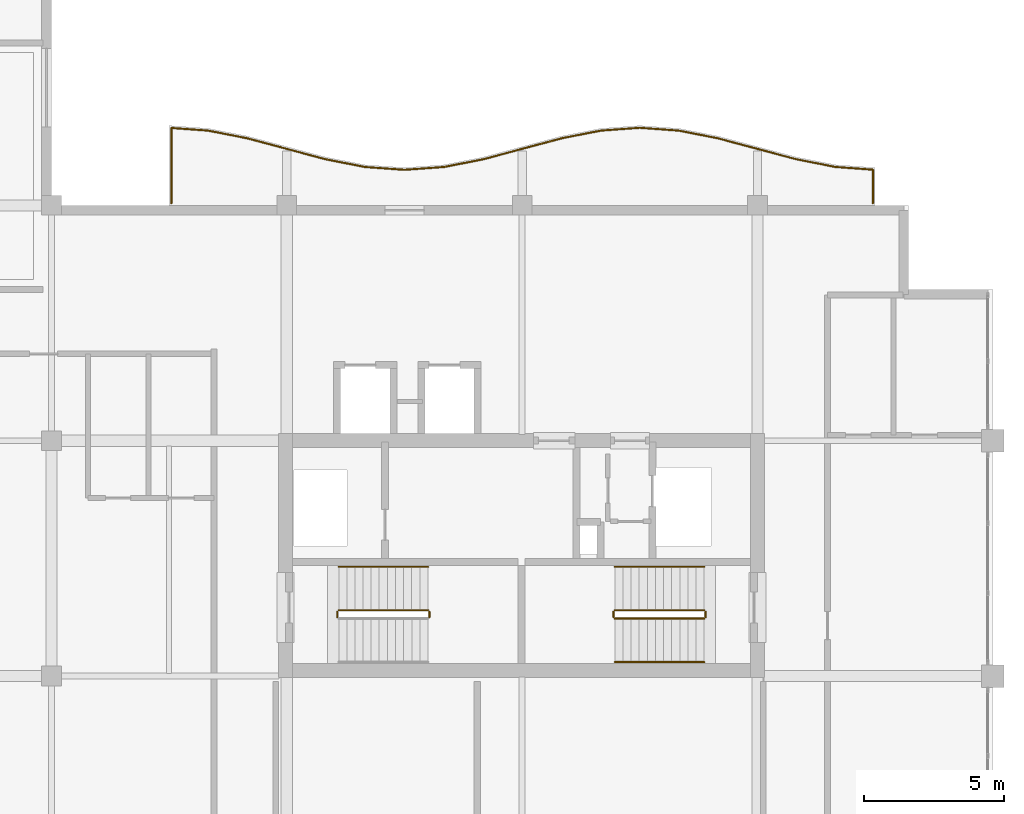
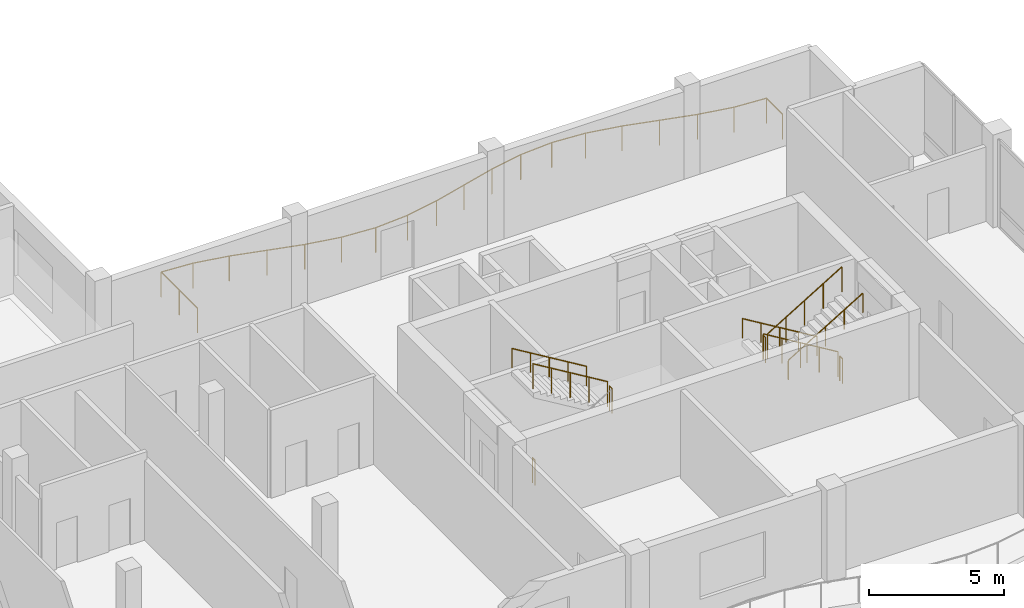
# One storey, part 14 of 16: 11 railings.
"""IFC4 building model written with IfcOpenShell, lengths in metres."""

from ifc_helpers import new_model, si_unit, direction, frame, origin, origin_2d, place, context, subcontext, project, spatial, circle, extrude, material, type_object, element, save


model = new_model("IFC4")

# Units and contexts
model_context = context("Model", 3, precision=1e-05, world=origin(), true_north=direction((0.0, 1.0)))
body_context = subcontext(model_context, "Body", "Model", "MODEL_VIEW")
ifc_project = project(units=[si_unit("LENGTHUNIT", "METRE"), si_unit("AREAUNIT", "SQUARE_METRE"), si_unit("VOLUMEUNIT", "CUBIC_METRE"), si_unit("PLANEANGLEUNIT", "RADIAN"), si_unit("MASSUNIT", "GRAM", prefix="KILO")], contexts=[model_context])

# Site, building, storey
site_placement = place(None, origin())
site = spatial("IfcSite", under=ifc_project, at=site_placement, CompositionType="ELEMENT")
building_placement = place(site_placement, origin())
building = spatial("IfcBuilding", under=site, at=building_placement, Name="Koriwani Terraces Tower", CompositionType="ELEMENT")
storey_placement = place(building_placement, frame((0.0, 0.0, 355.39990234375)))
storey = spatial("IfcBuildingStorey", under=building, at=storey_placement, Name="L88", CompositionType="ELEMENT", Elevation=355.39990234375)

# Railings
ifc_material = material(Name="Steel ASTM A572 Grade 50", Category="steel")
railing_type_1 = type_object("IfcRailingType", Name="GUARD_BALUSTRADE_1150", PredefinedType="BALUSTRADE", material=ifc_material)
railing_1_placement = place(storey_placement, frame((62.919921875, 33.679931640625, 0.0)))
element("IfcRailing", 1, at=railing_1_placement, inside=storey, type_object=railing_type_1, Name="L88 Balcony Perimeter Safety Balustrade (NE)", PredefinedType="BALUSTRADE", context=body_context, shape_type="SweptSolid", body=[
    extrude(circle(Radius=0.02392578125, at=origin_2d()), frame((0.0, 0.0, 1.1259765625), z_axis=(0.0, 1.0, 0.0), x_axis=(-1.0, 0.0, 0.0)), (0.0, 0.0, 1.0), 1.195556640625),
    extrude(circle(Radius=0.02392578125, at=origin_2d()), frame((0.0, 1.195556640625, 1.1259765625), z_axis=(-0.997410163072, 0.071923338365, 0.0), x_axis=(-0.071923338365, -0.997410163072, 0.0)), (0.0, 0.0, 1.0), 1.333984375),
    extrude(circle(Radius=0.02392578125, at=origin_2d()), frame((-1.33056640625, 1.29150390625, 1.1259765625), z_axis=(-0.981358469957, 0.192186246762, 0.0), x_axis=(-0.192186246762, -0.981358469957, 0.0)), (0.0, 0.0, 1.0), 1.434326171875),
    extrude(circle(Radius=0.02392578125, at=origin_2d()), frame((-2.738037109375, 1.567138671875, 1.1259765625), z_axis=(-0.96594917914, 0.258731875344, 0.0), x_axis=(-0.258731875344, -0.96594917914, 0.0)), (0.0, 0.0, 1.0), 2.898681640625),
    extrude(circle(Radius=0.02392578125, at=origin_2d()), frame((-5.5380859375, 2.317138671875, 1.1259765625), z_axis=(-0.981321393675, 0.19237547223, 0.0), x_axis=(-0.19237547223, -0.981321393675, 0.0)), (0.0, 0.0, 1.0), 1.4189453125),
    extrude(circle(Radius=0.02392578125, at=origin_2d()), frame((-6.930419921875, 2.590087890625, 1.1259765625), z_axis=(-0.997427466293, 0.07168297904, 0.0), x_axis=(-0.07168297904, -0.997427466293, 0.0)), (0.0, 0.0, 1.0), 1.39306640625),
    extrude(circle(Radius=0.02392578125, at=origin_2d()), frame((-8.31982421875, 2.68994140625, 1.1259765625), z_axis=(-0.997427466293, -0.07168297904, 0.0), x_axis=(0.07168297904, -0.997427466293, 0.0)), (0.0, 0.0, 1.0), 1.39306640625),
    extrude(circle(Radius=0.02392578125, at=origin_2d()), frame((-9.709228515625, 2.590087890625, 1.1259765625), z_axis=(-0.981327760125, -0.192342993657, 0.0), x_axis=(0.192342993657, -0.981327760125, 0.0)), (0.0, 0.0, 1.0), 1.419189453125),
    extrude(circle(Radius=0.02392578125, at=origin_2d()), frame((-11.101806640625, 2.317138671875, 1.1259765625), z_axis=(-0.96594917914, -0.258731875344, 0.0), x_axis=(0.258731875344, -0.96594917914, 0.0)), (0.0, 0.0, 1.0), 2.898681640625),
    extrude(circle(Radius=0.02392578125, at=origin_2d()), frame((-13.90185546875, 1.567138671875, 1.1259765625), z_axis=(-0.981358469957, -0.192186246762, 0.0), x_axis=(0.192186246762, -0.981358469957, 0.0)), (0.0, 0.0, 1.0), 1.434326171875),
    extrude(circle(Radius=0.02392578125, at=origin_2d()), frame((-15.309326171875, 1.29150390625, 1.1259765625), z_axis=(-0.997430581876, -0.071639614309, 0.0), x_axis=(0.071639614309, -0.997430581876, 0.0)), (0.0, 0.0, 1.0), 1.414306640625),
    extrude(circle(Radius=0.02392578125, at=origin_2d()), frame((-16.719970703125, 1.190185546875, 1.1259765625), z_axis=(-0.997430581876, 0.071639614309, 0.0), x_axis=(-0.071639614309, -0.997430581876, 0.0)), (0.0, 0.0, 1.0), 1.414306640625),
    extrude(circle(Radius=0.02392578125, at=origin_2d()), frame((-18.130615234375, 1.29150390625, 1.1259765625), z_axis=(-0.981352180954, 0.192218357442, 0.0), x_axis=(-0.192218357442, -0.981352180954, 0.0)), (0.0, 0.0, 1.0), 1.43408203125),
    extrude(circle(Radius=0.02392578125, at=origin_2d()), frame((-19.537841796875, 1.567138671875, 1.1259765625), z_axis=(-0.965954816498, 0.258710827923, 0.0), x_axis=(-0.258710827923, -0.965954816498, 0.0)), (0.0, 0.0, 1.0), 2.89892578125),
    extrude(circle(Radius=0.02392578125, at=origin_2d()), frame((-22.338134765625, 2.317138671875, 1.1259765625), z_axis=(-0.981321393675, 0.19237547223, 0.0), x_axis=(-0.19237547223, -0.981321393675, 0.0)), (0.0, 0.0, 1.0), 1.4189453125),
    extrude(circle(Radius=0.02392578125, at=origin_2d()), frame((-23.73046875, 2.590087890625, 1.1259765625), z_axis=(-0.997434099073, 0.071590627916, 0.0), x_axis=(-0.071590627916, -0.997434099073, 0.0)), (0.0, 0.0, 1.0), 1.31298828125),
    extrude(circle(Radius=0.02392578125, at=origin_2d()), frame((-25.0400390625, 2.68408203125, 1.1259765625), z_axis=(0.0, -1.0, 0.0), x_axis=(1.0, 0.0, 0.0)), (0.0, 0.0, 1.0), 2.68408203125),
    extrude(circle(Radius=0.02099609375, at=origin_2d()), origin(), (0.0, 0.0, 1.0), 1.101806640625),
    extrude(circle(Radius=0.02099609375, at=origin_2d()), frame((0.0, 1.195556640625, 0.0)), (0.0, 0.0, 1.0), 1.101806640625),
    extrude(circle(Radius=0.02099609375, at=origin_2d()), frame((-1.33056640625, 1.29150390625, 0.0)), (0.0, 0.0, 1.0), 1.101806640625),
    extrude(circle(Radius=0.02099609375, at=origin_2d()), frame((-2.738037109375, 1.567138671875, 0.0)), (0.0, 0.0, 1.0), 1.101806640625),
    extrude(circle(Radius=0.02099609375, at=origin_2d()), frame((-4.13818359375, 1.942138671875, 0.0)), (0.0, 0.0, 1.0), 1.101806640625),
    extrude(circle(Radius=0.02099609375, at=origin_2d()), frame((-5.5380859375, 2.317138671875, 0.0)), (0.0, 0.0, 1.0), 1.101806640625),
    extrude(circle(Radius=0.02099609375, at=origin_2d()), frame((-6.930419921875, 2.590087890625, 0.0)), (0.0, 0.0, 1.0), 1.101806640625),
    extrude(circle(Radius=0.02099609375, at=origin_2d()), frame((-8.31982421875, 2.68994140625, 0.0)), (0.0, 0.0, 1.0), 1.101806640625),
    extrude(circle(Radius=0.02099609375, at=origin_2d()), frame((-9.709228515625, 2.590087890625, 0.0)), (0.0, 0.0, 1.0), 1.101806640625),
    extrude(circle(Radius=0.02099609375, at=origin_2d()), frame((-11.101806640625, 2.317138671875, 0.0)), (0.0, 0.0, 1.0), 1.101806640625),
    extrude(circle(Radius=0.02099609375, at=origin_2d()), frame((-12.501953125, 1.942138671875, 0.0)), (0.0, 0.0, 1.0), 1.101806640625),
    extrude(circle(Radius=0.02099609375, at=origin_2d()), frame((-13.90185546875, 1.567138671875, 0.0)), (0.0, 0.0, 1.0), 1.101806640625),
    extrude(circle(Radius=0.02099609375, at=origin_2d()), frame((-15.309326171875, 1.29150390625, 0.0)), (0.0, 0.0, 1.0), 1.101806640625),
    extrude(circle(Radius=0.02099609375, at=origin_2d()), frame((-16.719970703125, 1.190185546875, 0.0)), (0.0, 0.0, 1.0), 1.101806640625),
    extrude(circle(Radius=0.02099609375, at=origin_2d()), frame((-18.130615234375, 1.29150390625, 0.0)), (0.0, 0.0, 1.0), 1.101806640625),
    extrude(circle(Radius=0.02099609375, at=origin_2d()), frame((-19.537841796875, 1.567138671875, 0.0)), (0.0, 0.0, 1.0), 1.101806640625),
    extrude(circle(Radius=0.02099609375, at=origin_2d()), frame((-20.93798828125, 1.942138671875, 0.0)), (0.0, 0.0, 1.0), 1.101806640625),
    extrude(circle(Radius=0.02099609375, at=origin_2d()), frame((-22.338134765625, 2.317138671875, 0.0)), (0.0, 0.0, 1.0), 1.101806640625),
    extrude(circle(Radius=0.02099609375, at=origin_2d()), frame((-23.73046875, 2.590087890625, 0.0)), (0.0, 0.0, 1.0), 1.101806640625),
    extrude(circle(Radius=0.02099609375, at=origin_2d()), frame((-25.0400390625, 2.68408203125, 0.0)), (0.0, 0.0, 1.0), 1.101806640625),
    extrude(circle(Radius=0.02099609375, at=origin_2d()), frame((-25.0400390625, 1.342041015625, 0.0)), (0.0, 0.0, 1.0), 1.101806640625),
    extrude(circle(Radius=0.02099609375, at=origin_2d()), frame((-25.0400390625, 0.0, 0.0)), (0.0, 0.0, 1.0), 1.101806640625),
])
railing_type_2 = type_object("IfcRailingType", Name="GUARD_STAIR_WELL_1120", PredefinedType="GUARDRAIL", material=ifc_material)
railing_2_placement = place(storey_placement, frame((47.090087890625, 18.89990234375, 2.10009765625)))
element("IfcRailing", 2, at=railing_2_placement, inside=storey, type_object=railing_type_2, Name="L88 ST-E1 stair guard 2", PredefinedType="GUARDRAIL", context=body_context, shape_type="SweptSolid", body=[
    extrude(circle(Radius=0.02392578125, at=origin_2d()), frame((0.0, 0.0, 1.1259765625), z_axis=(0.0, 1.0, 0.0), x_axis=(-1.0, 0.0, 0.0)), (0.0, 0.0, 1.0), 0.2001953125),
    extrude(circle(Radius=0.02099609375, at=origin_2d()), origin(), (0.0, 0.0, 1.0), 1.101806640625),
    extrude(circle(Radius=0.02099609375, at=origin_2d()), frame((0.0, 0.2001953125, 0.0)), (0.0, 0.0, 1.0), 1.101806640625),
])
railing_3_placement = place(storey_placement, frame((47.0400390625, 19.14990234375, 2.275146484375)))
element("IfcRailing", 3, at=railing_3_placement, inside=storey, type_object=railing_type_2, Name="L88 ST-E1 stair guard 3", PredefinedType="GUARDRAIL", context=body_context, shape_type="SweptSolid", body=[
    extrude(circle(Radius=0.02392578125, at=origin_2d()), frame((0.0, 0.0, 1.1259765625), z_axis=(-0.856177665481, 0.0, 0.516681531633), x_axis=(0.0, -1.0, 0.0)), (0.0, 0.0, 1.0), 3.725830078125),
    extrude(circle(Radius=0.02099609375, at=origin_2d()), origin(), (0.0, 0.0, 1.0), 1.101806640625),
    extrude(circle(Radius=0.02099609375, at=origin_2d()), frame((-0.79736328125, 0.0, 0.481201171875)), (0.0, 0.0, 1.0), 1.101806640625),
    extrude(circle(Radius=0.02099609375, at=origin_2d()), frame((-1.594970703125, 0.0, 0.96240234375)), (0.0, 0.0, 1.0), 1.101806640625),
    extrude(circle(Radius=0.02099609375, at=origin_2d()), frame((-2.392578125, 0.0, 1.44384765625)), (0.0, 0.0, 1.0), 1.101806640625),
    extrude(circle(Radius=0.02099609375, at=origin_2d()), frame((-3.18994140625, 0.0, 1.925048828125)), (0.0, 0.0, 1.0), 1.101806640625),
])
railing_4_placement = place(storey_placement, frame((43.800048828125, 18.89990234375, 0.0)))
element("IfcRailing", 4, at=railing_4_placement, inside=storey, type_object=railing_type_2, Name="L88 ST-E1 stair guard 4", PredefinedType="GUARDRAIL", context=body_context, shape_type="SweptSolid", body=[
    extrude(circle(Radius=0.02392578125, at=origin_2d()), frame((0.0, 0.0, 1.1259765625), z_axis=(0.0, 1.0, 0.0), x_axis=(-1.0, 0.0, 0.0)), (0.0, 0.0, 1.0), 0.2001953125),
    extrude(circle(Radius=0.02099609375, at=origin_2d()), origin(), (0.0, 0.0, 1.0), 1.101806640625),
    extrude(circle(Radius=0.02099609375, at=origin_2d()), frame((0.0, 0.2001953125, 0.0)), (0.0, 0.0, 1.0), 1.101806640625),
])
railing_5_placement = place(storey_placement, frame((56.89990234375, 19.14990234375, 0.175048828125)))
element("IfcRailing", 5, at=railing_5_placement, inside=storey, type_object=railing_type_2, Name="L88 ST-E2 stair guard 1", PredefinedType="GUARDRAIL", context=body_context, shape_type="SweptSolid", body=[
    extrude(circle(Radius=0.02392578125, at=origin_2d()), frame((0.0, 0.0, 1.1259765625), z_axis=(-0.856177665481, 0.0, 0.516681531633), x_axis=(0.0, -1.0, 0.0)), (0.0, 0.0, 1.0), 3.725830078125),
    extrude(circle(Radius=0.02099609375, at=origin_2d()), origin(), (0.0, 0.0, 1.0), 1.101806640625),
    extrude(circle(Radius=0.02099609375, at=origin_2d()), frame((-0.79736328125, 0.0, 0.481201171875)), (0.0, 0.0, 1.0), 1.101806640625),
    extrude(circle(Radius=0.02099609375, at=origin_2d()), frame((-1.594970703125, 0.0, 0.96240234375)), (0.0, 0.0, 1.0), 1.101806640625),
    extrude(circle(Radius=0.02099609375, at=origin_2d()), frame((-2.392578125, 0.0, 1.44384765625)), (0.0, 0.0, 1.0), 1.101806640625),
    extrude(circle(Radius=0.02099609375, at=origin_2d()), frame((-3.18994140625, 0.0, 1.925048828125)), (0.0, 0.0, 1.0), 1.101806640625),
])
railing_6_placement = place(storey_placement, frame((53.659912109375, 19.10009765625, 2.10009765625)))
element("IfcRailing", 6, at=railing_6_placement, inside=storey, type_object=railing_type_2, Name="L88 ST-E2 stair guard 2", PredefinedType="GUARDRAIL", context=body_context, shape_type="SweptSolid", body=[
    extrude(circle(Radius=0.02392578125, at=origin_2d()), frame((0.0, 0.0, 1.1259765625), z_axis=(0.0, -1.0, 0.0), x_axis=(1.0, 0.0, 0.0)), (0.0, 0.0, 1.0), 0.2001953125),
    extrude(circle(Radius=0.02099609375, at=origin_2d()), origin(), (0.0, 0.0, 1.0), 1.101806640625),
    extrude(circle(Radius=0.02099609375, at=origin_2d()), frame((0.0, -0.2001953125, 0.0)), (0.0, 0.0, 1.0), 1.101806640625),
])
railing_7_placement = place(storey_placement, frame((53.7099609375, 18.85009765625, 2.275146484375)))
element("IfcRailing", 7, at=railing_7_placement, inside=storey, type_object=railing_type_2, Name="L88 ST-E2 stair guard 3", PredefinedType="GUARDRAIL", context=body_context, shape_type="SweptSolid", body=[
    extrude(circle(Radius=0.02392578125, at=origin_2d()), frame((0.0, 0.0, 1.1259765625), z_axis=(0.856177665481, 0.0, 0.516681531633), x_axis=(0.0, 1.0, 0.0)), (0.0, 0.0, 1.0), 3.725830078125),
    extrude(circle(Radius=0.02099609375, at=origin_2d()), origin(), (0.0, 0.0, 1.0), 1.101806640625),
    extrude(circle(Radius=0.02099609375, at=origin_2d()), frame((0.79736328125, 0.0, 0.481201171875)), (0.0, 0.0, 1.0), 1.101806640625),
    extrude(circle(Radius=0.02099609375, at=origin_2d()), frame((1.594970703125, 0.0, 0.96240234375)), (0.0, 0.0, 1.0), 1.101806640625),
    extrude(circle(Radius=0.02099609375, at=origin_2d()), frame((2.392578125, 0.0, 1.44384765625)), (0.0, 0.0, 1.0), 1.101806640625),
    extrude(circle(Radius=0.02099609375, at=origin_2d()), frame((3.18994140625, 0.0, 1.925048828125)), (0.0, 0.0, 1.0), 1.101806640625),
])
railing_8_placement = place(storey_placement, frame((56.949951171875, 19.10009765625, 0.0)))
element("IfcRailing", 8, at=railing_8_placement, inside=storey, type_object=railing_type_2, Name="L88 ST-E2 stair guard 4", PredefinedType="GUARDRAIL", context=body_context, shape_type="SweptSolid", body=[
    extrude(circle(Radius=0.02392578125, at=origin_2d()), frame((0.0, 0.0, 1.1259765625), z_axis=(0.0, -1.0, 0.0), x_axis=(1.0, 0.0, 0.0)), (0.0, 0.0, 1.0), 0.2001953125),
    extrude(circle(Radius=0.02099609375, at=origin_2d()), origin(), (0.0, 0.0, 1.0), 1.101806640625),
    extrude(circle(Radius=0.02099609375, at=origin_2d()), frame((0.0, -0.2001953125, 0.0)), (0.0, 0.0, 1.0), 1.101806640625),
])
railing_type_3 = type_object("IfcRailingType", Name="HANDRAIL_STAIR_920", PredefinedType="HANDRAIL", material=ifc_material)
for number, where, name in (
    (9, (47.0400390625, 20.699951171875, 2.275146484375), "L88 ST-E1 stair handrail 2"),
    (10, (56.89990234375, 20.699951171875, 0.175048828125), "L88 ST-E2 stair handrail 1"),
):
    element("IfcRailing", number, at=place(storey_placement, frame(where)), inside=storey, type_object=railing_type_3, Name=name, PredefinedType="HANDRAIL", context=body_context, shape_type="SweptSolid", body=[
        extrude(circle(Radius=0.02392578125, at=origin_2d()), frame((0.0, 0.0, 0.8759765625), z_axis=(-0.856177665481, 0.0, 0.516681531633), x_axis=(0.0, -1.0, 0.0)), (0.0, 0.0, 1.0), 3.725830078125),
        extrude(circle(Radius=0.02099609375, at=origin_2d()), origin(), (0.0, 0.0, 1.0), 0.851806640625),
        extrude(circle(Radius=0.02099609375, at=origin_2d()), frame((-0.79736328125, 0.0, 0.481201171875)), (0.0, 0.0, 1.0), 0.851806640625),
        extrude(circle(Radius=0.02099609375, at=origin_2d()), frame((-1.594970703125, 0.0, 0.96240234375)), (0.0, 0.0, 1.0), 0.851806640625),
        extrude(circle(Radius=0.02099609375, at=origin_2d()), frame((-2.392578125, 0.0, 1.44384765625)), (0.0, 0.0, 1.0), 0.851806640625),
        extrude(circle(Radius=0.02099609375, at=origin_2d()), frame((-3.18994140625, 0.0, 1.925048828125)), (0.0, 0.0, 1.0), 0.851806640625),
    ])
railing_9_placement = place(storey_placement, frame((53.7099609375, 17.300048828125, 2.275146484375)))
element("IfcRailing", 11, at=railing_9_placement, inside=storey, type_object=railing_type_3, Name="L88 ST-E2 stair handrail 2", PredefinedType="HANDRAIL", context=body_context, shape_type="SweptSolid", body=[
    extrude(circle(Radius=0.02392578125, at=origin_2d()), frame((0.0, 0.0, 0.8759765625), z_axis=(0.856177665481, 0.0, 0.516681531633), x_axis=(0.0, 1.0, 0.0)), (0.0, 0.0, 1.0), 3.725830078125),
    extrude(circle(Radius=0.02099609375, at=origin_2d()), origin(), (0.0, 0.0, 1.0), 0.851806640625),
    extrude(circle(Radius=0.02099609375, at=origin_2d()), frame((0.79736328125, 0.0, 0.481201171875)), (0.0, 0.0, 1.0), 0.851806640625),
    extrude(circle(Radius=0.02099609375, at=origin_2d()), frame((1.594970703125, 0.0, 0.96240234375)), (0.0, 0.0, 1.0), 0.851806640625),
    extrude(circle(Radius=0.02099609375, at=origin_2d()), frame((2.392578125, 0.0, 1.44384765625)), (0.0, 0.0, 1.0), 0.851806640625),
    extrude(circle(Radius=0.02099609375, at=origin_2d()), frame((3.18994140625, 0.0, 1.925048828125)), (0.0, 0.0, 1.0), 0.851806640625),
])

save(model, "model.ifc")
